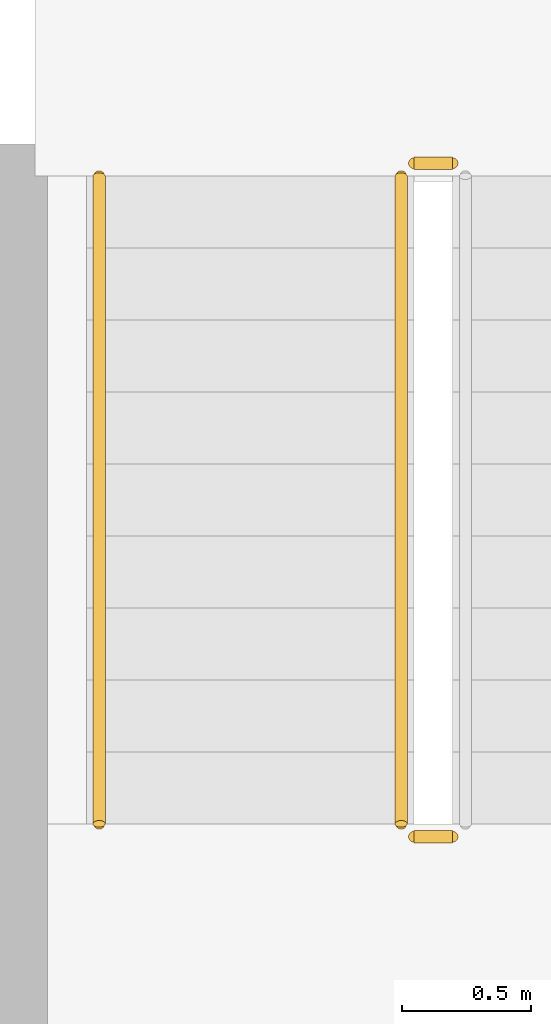
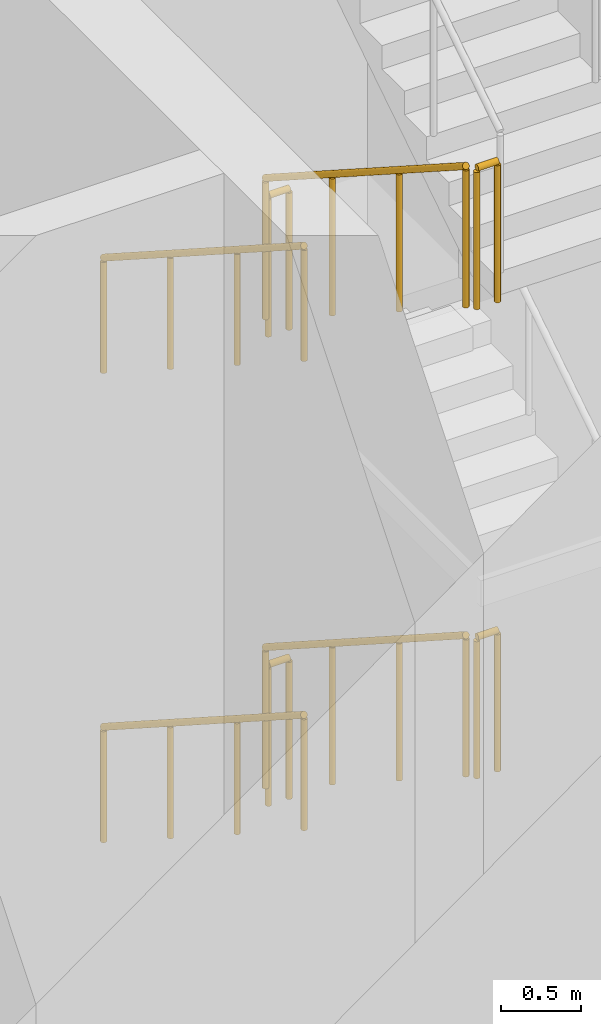
# One storey, part 15 of 20: 8 railings.
"""IFC4 building model written with IfcOpenShell, lengths in metres."""

import ifcopenshell
import ifcopenshell.guid

model = None  # the IFC model being written
_history = None  # IfcOwnerHistory: only IFC2X3 demands one
_inside = {}  # id of a spatial element -> (the spatial element, [elements in it])
_under = {}  # id of a project, library or spatial element -> (it, [spatial elements below it])
_declared = {}  # id of a project -> (the project, [libraries it declares])
_typed = {}  # id of a type object -> (the type object, [elements of that type])
_made_of = {}  # id of a material, layer set ... -> (it, [elements and type objects made of it])


def new_model(schema):
    """Start an empty IFC model of exactly this schema.

    Asked for "IFC4X3", IfcOpenShell would pick the latest addendum, in which some entities
    have other attributes; the version numbers below select the first issue.
    IFC2X3 requires an IfcOwnerHistory on every rooted entity: one is made here for all.
    """
    global model, _history
    if schema == "IFC4X3":
        model = ifcopenshell.file(schema_version=(4, 3, 0, 0))
    else:
        model = ifcopenshell.file(schema=schema)
    _inside.clear()
    _under.clear()
    _declared.clear()
    _typed.clear()
    _made_of.clear()
    _history = None
    if model.schema == "IFC2X3":
        org = make("IfcOrganization", Name="unknown")
        user = make(
            "IfcPersonAndOrganization",
            ThePerson=make("IfcPerson", FamilyName="unknown"),
            TheOrganization=org,
        )
        app = make(
            "IfcApplication",
            ApplicationDeveloper=org,
            Version="unknown",
            ApplicationFullName="unknown",
            ApplicationIdentifier="unknown",
        )
        _history = make(
            "IfcOwnerHistory",
            OwningUser=user,
            OwningApplication=app,
            ChangeAction="ADDED",
            CreationDate=0,
        )
    return model


def make(cls, **values):
    """One entity of the class cls with the attributes given. An attribute that is None is left unset."""
    return model.create_entity(
        cls, **{name: value for name, value in values.items() if value is not None}
    )


def rooted(cls, **values):
    """An entity with a GlobalId (a new one), such as an element, a storey or a relation."""
    return make(cls, GlobalId=ifcopenshell.guid.new(), OwnerHistory=_history, **values)


def si_unit(unit_type, name, prefix=None):
    """IfcSIUnit, for example si_unit("LENGTHUNIT", "METRE", prefix="MILLI")."""
    return make("IfcSIUnit", UnitType=unit_type, Prefix=prefix, Name=name)


def assignment(units):
    """IfcUnitAssignment: the units of a project."""
    return None if units is None else make("IfcUnitAssignment", Units=units)


def point(xyz):
    """IfcCartesianPoint."""
    return None if xyz is None else make("IfcCartesianPoint", Coordinates=xyz)


def direction(xyz):
    """IfcDirection."""
    return None if xyz is None else make("IfcDirection", DirectionRatios=xyz)


def frame(location, z_axis=None, x_axis=None):
    """IfcAxis2Placement3D, a coordinate frame: its origin and axes. An axis left out is left unset."""
    return make(
        "IfcAxis2Placement3D",
        Location=point(location),
        Axis=direction(z_axis),
        RefDirection=direction(x_axis),
    )


def frame_2d(location, x_axis=None):
    """IfcAxis2Placement2D, a coordinate frame in the plane: its origin and x axis."""
    return make(
        "IfcAxis2Placement2D", Location=point(location), RefDirection=direction(x_axis)
    )


def origin():
    """The frame at (0, 0, 0) with its axes left unset."""
    return frame((0.0, 0.0, 0.0))


def origin_2d():
    """The frame at (0, 0) in the plane with its x axis left unset."""
    return frame_2d((0.0, 0.0))


def place(relative_to, where):
    """IfcLocalPlacement: puts the frame where relative to a parent placement (None: the world)."""
    return make(
        "IfcLocalPlacement", PlacementRelTo=relative_to, RelativePlacement=where
    )


def context(
    kind, dimensions, precision=None, world=None, true_north=None, identifier=None
):
    """IfcGeometricRepresentationContext, for example the 3D "Model" context."""
    return make(
        "IfcGeometricRepresentationContext",
        ContextIdentifier=identifier,
        ContextType=kind,
        CoordinateSpaceDimension=dimensions,
        Precision=precision,
        WorldCoordinateSystem=world,
        TrueNorth=true_north,
    )


def subcontext(parent, identifier, kind, view, scale=None):
    """IfcGeometricRepresentationSubContext, for example "Body" below "Model"."""
    return make(
        "IfcGeometricRepresentationSubContext",
        ContextIdentifier=identifier,
        ContextType=kind,
        ParentContext=parent,
        TargetScale=scale,
        TargetView=view,
    )


def project(units=None, contexts=None):
    """IfcProject with its units and contexts."""
    return rooted(
        "IfcProject",
        Name="project",
        RepresentationContexts=contexts,
        UnitsInContext=assignment(units),
    )


def spatial(cls, under=None, at=None, **own):
    """A site, building, storey or space (cls), placed at a placement, below another one or the project."""
    s = rooted(cls, ObjectPlacement=at, **own)
    if under is not None:
        _under.setdefault(under.id(), (under, []))[1].append(s)
    return s


def profile(cls, at=None, kind="AREA", **sizes):
    """A parametric profile (cls). Its sizes go by their IFC names, for example OverallWidth=200.0."""
    return make(cls, ProfileType=kind, Position=at, **sizes)


def circle(**sizes):
    """IfcCircleProfileDef."""
    return profile("IfcCircleProfileDef", **sizes)


def extrude(swept, where, along, depth):
    """IfcExtrudedAreaSolid: the profile swept, set in the frame where, extruded along a direction by depth."""
    return make(
        "IfcExtrudedAreaSolid",
        SweptArea=swept,
        Position=where,
        ExtrudedDirection=direction(along),
        Depth=depth,
    )


def shape(context_of_items, identifier, shape_type, items):
    """IfcShapeRepresentation: the items that make up one representation, for example the "Body"."""
    return make(
        "IfcShapeRepresentation",
        ContextOfItems=context_of_items,
        RepresentationIdentifier=identifier,
        RepresentationType=shape_type,
        Items=items,
    )


def material(Name=None, Category=None):
    """IfcMaterial."""
    return make("IfcMaterial", Name=Name, Category=Category)


def made_of(thing, what):
    """Note that an element or type object is made of a material, layer set ...; save() writes the relation."""
    if what is not None:
        _made_of.setdefault(what.id(), (what, []))[1].append(thing)
    return thing


def type_object(cls, material=None, **own):
    """A type object (cls), such as IfcWallType, which elements share."""
    return made_of(rooted(cls, **own), material)


def element(
    cls,
    number,
    at=None,
    inside=None,
    cuts=None,
    type_object=None,
    material=None,
    context=None,
    identifier="Body",
    shape_type=None,
    held_by="IfcProductDefinitionShape",
    body=None,
    shapes=None,
    **own,
):
    """One element of the class cls, such as IfcWall. Its Tag is "e" and its number.

    at: its placement. inside: the storey or other place that contains it. cuts: it is an
    opening in that element (IfcRelVoidsElement). A single representation is given by context,
    identifier, shape_type and body (its items); several are given by shapes. held_by: the class
    of the entity that holds the representations. save() writes the other relations.
    """
    e = rooted(cls, Tag="e%d" % number, ObjectPlacement=at, **own)
    if body is not None:
        shapes = [shape(context, identifier, shape_type, body)]
    if shapes is not None:
        e.Representation = make(held_by, Representations=shapes)
    if inside is not None:
        _inside.setdefault(inside.id(), (inside, []))[1].append(e)
    if cuts is not None:
        rooted(
            "IfcRelVoidsElement", RelatingBuildingElement=cuts, RelatedOpeningElement=e
        )
    if type_object is not None:
        _typed.setdefault(type_object.id(), (type_object, []))[1].append(e)
    return made_of(e, material)


def aggregate(whole, parts):
    """IfcRelAggregates: a whole, such as a stair, and the parts it consists of."""
    return rooted("IfcRelAggregates", RelatingObject=whole, RelatedObjects=parts)


def save(model, path):
    """Write the relations noted so far, then the file.

    IfcRelAggregates (storeys below a building ...), IfcRelContainedInSpatialStructure (elements
    in a storey), IfcRelDefinesByType, IfcRelAssociatesMaterial and IfcRelDeclares: one each for
    every whole, place, type object, material and project.
    """
    for whole, parts in _under.values():
        aggregate(whole, parts)
    for where, things in _inside.values():
        rooted(
            "IfcRelContainedInSpatialStructure",
            RelatedElements=things,
            RelatingStructure=where,
        )
    for kind, things in _typed.values():
        rooted("IfcRelDefinesByType", RelatedObjects=things, RelatingType=kind)
    for what, things in _made_of.values():
        rooted("IfcRelAssociatesMaterial", RelatedObjects=things, RelatingMaterial=what)
    for by, libraries in _declared.values():
        rooted("IfcRelDeclares", RelatingContext=by, RelatedDefinitions=libraries)
    model.write(path)


model = new_model("IFC4")

# Units and contexts
model_context = context("Model", 3, precision=1e-05, world=origin(), true_north=direction((0.0, 1.0)))
body_context = subcontext(model_context, "Body", "Model", "MODEL_VIEW")
ifc_project = project(units=[si_unit("LENGTHUNIT", "METRE"), si_unit("AREAUNIT", "SQUARE_METRE"), si_unit("VOLUMEUNIT", "CUBIC_METRE"), si_unit("PLANEANGLEUNIT", "RADIAN"), si_unit("MASSUNIT", "GRAM", prefix="KILO")], contexts=[model_context])

# Site, building, storey
site_placement = place(None, origin())
site = spatial("IfcSite", under=ifc_project, at=site_placement, CompositionType="ELEMENT")
building_placement = place(site_placement, origin())
building = spatial("IfcBuilding", under=site, at=building_placement, Name="Tskaro Facet Tower", CompositionType="ELEMENT")
storey_placement = place(building_placement, frame((0.0, 0.0, 114.300048828125)))
storey = spatial("IfcBuildingStorey", under=building, at=storey_placement, Name="L27", CompositionType="ELEMENT", Elevation=114.300048828125)

# Railings
ifc_material = material(Name="Stainless steel", Category="steel")
railing_type_1 = type_object("IfcRailingType", Name="RL-GUARD-1100", PredefinedType="GUARDRAIL", material=ifc_material)
railing_1_placement = place(storey_placement, frame((-7.625, -6.375, 0.179931640625)))
element("IfcRailing", 1, at=railing_1_placement, inside=storey, type_object=railing_type_1, Name="L27 ST-1 stair guard 1", PredefinedType="GUARDRAIL", context=body_context, shape_type="SweptSolid", body=[
    extrude(circle(Radius=0.02392578125, at=origin_2d()), frame((0.0, 0.0, 1.076171875), z_axis=(0.0, -0.841162588446, 0.540782303519), x_axis=(1.0, 0.0, 0.0)), (0.0, 0.0, 1.0), 2.995849609375),
    extrude(circle(Radius=0.02099609375, at=origin_2d()), origin(), (0.0, 0.0, 1.0), 1.052001953125),
    extrude(circle(Radius=0.02099609375, at=origin_2d()), frame((0.0, -0.840087890625, 0.5400390625)), (0.0, 0.0, 1.0), 1.052001953125),
    extrude(circle(Radius=0.02099609375, at=origin_2d()), frame((0.0, -1.679931640625, 1.080078125)), (0.0, 0.0, 1.0), 1.052001953125),
    extrude(circle(Radius=0.02099609375, at=origin_2d()), frame((0.0, -2.52001953125, 1.6201171875)), (0.0, 0.0, 1.0), 1.052001953125),
])
for number, where, name in (
    (2, (-7.574951171875, -8.945068359375, 1.800048828125), "L27 ST-1 stair guard 2"),
    (3, (-7.574951171875, -6.324951171875, 3.599853515625), "L27 ST-1 stair guard 4"),
):
    element("IfcRailing", number, at=place(storey_placement, frame(where)), inside=storey, type_object=railing_type_1, Name=name, PredefinedType="GUARDRAIL", context=body_context, shape_type="SweptSolid", body=[
        extrude(circle(Radius=0.02392578125, at=origin_2d()), frame((0.0, 0.0, 1.076171875), z_axis=(1.0, 0.0, 0.0), x_axis=(0.0, 1.0, 0.0)), (0.0, 0.0, 1.0), 0.14990234375),
        extrude(circle(Radius=0.02099609375, at=origin_2d()), origin(), (0.0, 0.0, 1.0), 1.052001953125),
        extrude(circle(Radius=0.02099609375, at=origin_2d()), frame((0.14990234375, 0.0, 0.0)), (0.0, 0.0, 1.0), 1.052001953125),
    ])
railing_2_placement = place(storey_placement, frame((-7.625, -6.375, 3.780029296875)))
element("IfcRailing", 4, at=railing_2_placement, inside=storey, type_object=railing_type_1, Name="L27 ST-1 stair guard 5", PredefinedType="GUARDRAIL", context=body_context, shape_type="SweptSolid", body=[
    extrude(circle(Radius=0.02392578125, at=origin_2d()), frame((0.0, 0.0, 1.076171875), z_axis=(0.0, -0.841199657755, 0.540724639528), x_axis=(1.0, 0.0, 0.0)), (0.0, 0.0, 1.0), 2.995849609375),
    extrude(circle(Radius=0.02099609375, at=origin_2d()), origin(), (0.0, 0.0, 1.0), 1.052001953125),
    extrude(circle(Radius=0.02099609375, at=origin_2d()), frame((0.0, -0.840087890625, 0.5400390625)), (0.0, 0.0, 1.0), 1.052001953125),
    extrude(circle(Radius=0.02099609375, at=origin_2d()), frame((0.0, -1.679931640625, 1.079833984375)), (0.0, 0.0, 1.0), 1.052001953125),
    extrude(circle(Radius=0.02099609375, at=origin_2d()), frame((0.0, -2.52001953125, 1.619873046875)), (0.0, 0.0, 1.0), 1.052001953125),
])
for number, where, name in (
    (5, (-7.574951171875, -8.945068359375, 5.39990234375), "L27 ST-1 stair guard 6"),
    (6, (-7.574951171875, -6.324951171875, 0.0), "L27 ST-1 stair guard 8"),
):
    element("IfcRailing", number, at=place(storey_placement, frame(where)), inside=storey, type_object=railing_type_1, Name=name, PredefinedType="GUARDRAIL", context=body_context, shape_type="SweptSolid", body=[
        extrude(circle(Radius=0.02392578125, at=origin_2d()), frame((0.0, 0.0, 1.076171875), z_axis=(1.0, 0.0, 0.0), x_axis=(0.0, 1.0, 0.0)), (0.0, 0.0, 1.0), 0.14990234375),
        extrude(circle(Radius=0.02099609375, at=origin_2d()), origin(), (0.0, 0.0, 1.0), 1.052001953125),
        extrude(circle(Radius=0.02099609375, at=origin_2d()), frame((0.14990234375, 0.0, 0.0)), (0.0, 0.0, 1.0), 1.052001953125),
    ])
railing_type_2 = type_object("IfcRailingType", Name="RL-HANDRAIL-900", PredefinedType="HANDRAIL", material=ifc_material)
railing_3_placement = place(storey_placement, frame((-8.800048828125, -6.375, 0.179931640625)))
element("IfcRailing", 7, at=railing_3_placement, inside=storey, type_object=railing_type_2, Name="L27 ST-1 stair handrail 1", PredefinedType="HANDRAIL", context=body_context, shape_type="SweptSolid", body=[
    extrude(circle(Radius=0.02392578125, at=origin_2d()), frame((0.0, 0.0, 0.8759765625), z_axis=(0.0, -0.841162588446, 0.540782303519), x_axis=(1.0, 0.0, 0.0)), (0.0, 0.0, 1.0), 2.995849609375),
    extrude(circle(Radius=0.02099609375, at=origin_2d()), origin(), (0.0, 0.0, 1.0), 0.851806640625),
    extrude(circle(Radius=0.02099609375, at=origin_2d()), frame((0.0, -0.840087890625, 0.5400390625)), (0.0, 0.0, 1.0), 0.851806640625),
    extrude(circle(Radius=0.02099609375, at=origin_2d()), frame((0.0, -1.679931640625, 1.080078125)), (0.0, 0.0, 1.0), 0.851806640625),
    extrude(circle(Radius=0.02099609375, at=origin_2d()), frame((0.0, -2.52001953125, 1.6201171875)), (0.0, 0.0, 1.0), 0.851806640625),
])
railing_4_placement = place(storey_placement, frame((-8.800048828125, -6.375, 3.780029296875)))
element("IfcRailing", 8, at=railing_4_placement, inside=storey, type_object=railing_type_2, Name="L27 ST-1 stair handrail 3", PredefinedType="HANDRAIL", context=body_context, shape_type="SweptSolid", body=[
    extrude(circle(Radius=0.02392578125, at=origin_2d()), frame((0.0, 0.0, 0.8759765625), z_axis=(0.0, -0.841199657755, 0.540724639528), x_axis=(1.0, 0.0, 0.0)), (0.0, 0.0, 1.0), 2.995849609375),
    extrude(circle(Radius=0.02099609375, at=origin_2d()), origin(), (0.0, 0.0, 1.0), 0.851806640625),
    extrude(circle(Radius=0.02099609375, at=origin_2d()), frame((0.0, -0.840087890625, 0.5400390625)), (0.0, 0.0, 1.0), 0.851806640625),
    extrude(circle(Radius=0.02099609375, at=origin_2d()), frame((0.0, -1.679931640625, 1.079833984375)), (0.0, 0.0, 1.0), 0.851806640625),
    extrude(circle(Radius=0.02099609375, at=origin_2d()), frame((0.0, -2.52001953125, 1.619873046875)), (0.0, 0.0, 1.0), 0.851806640625),
])

save(model, "model.ifc")
